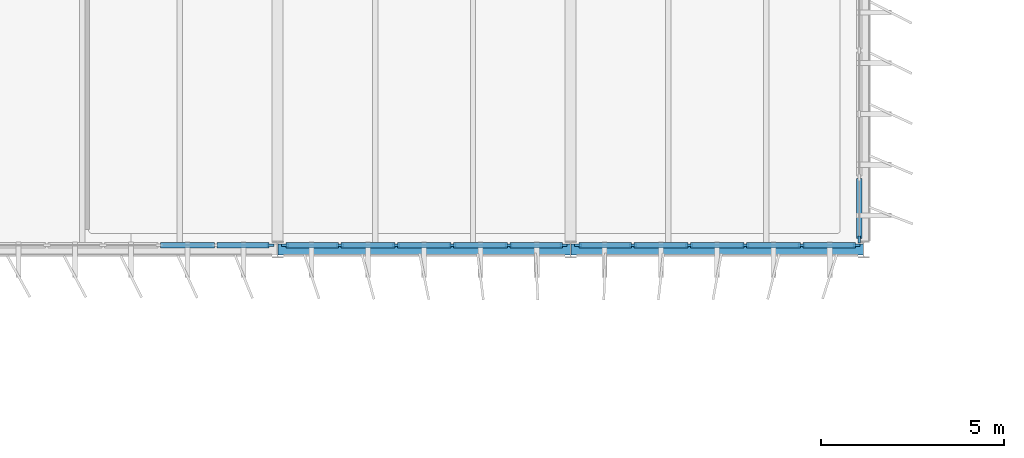
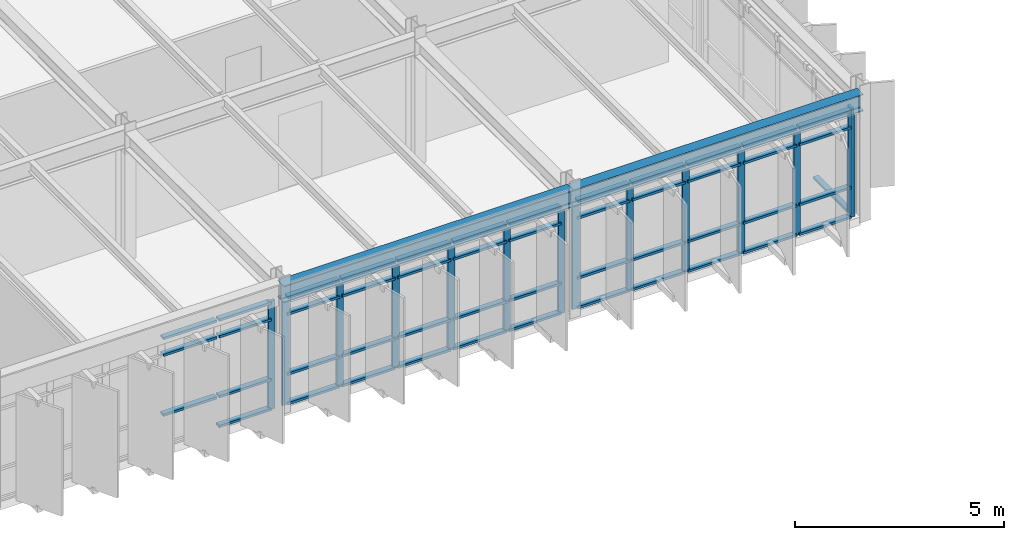
# One storey, part 21 of 56: 62 members, 2 beams, 4 elements without a shape of their own.
"""IFC4 building model written with IfcOpenShell, lengths in metres."""

from ifc_helpers import new_model, si_unit, direction, frame, origin, origin_2d, place, context, subcontext, project, spatial, rectangle, i_section, extrude, material, layer, layer_set, material_profile, profile_set, type_object, element, aggregate, save


model = new_model("IFC4")

# Units and contexts
model_context = context("Model", 3, precision=1e-05, world=origin(), true_north=direction((0.0, 1.0)))
body_context = subcontext(model_context, "Body", "Model", "MODEL_VIEW")
ifc_project = project(units=[si_unit("LENGTHUNIT", "METRE"), si_unit("AREAUNIT", "SQUARE_METRE"), si_unit("VOLUMEUNIT", "CUBIC_METRE"), si_unit("PLANEANGLEUNIT", "RADIAN"), si_unit("MASSUNIT", "GRAM", prefix="KILO")], contexts=[model_context])

# Site, building, storey
site_placement = place(None, origin())
site = spatial("IfcSite", under=ifc_project, at=site_placement, CompositionType="ELEMENT")
building_placement = place(site_placement, origin())
building = spatial("IfcBuilding", under=site, at=building_placement, Name="Valkorina Park Police Headquarters", CompositionType="ELEMENT")
storey_placement = place(building_placement, frame((0.0, 0.0, 14.10009765625)))
storey = spatial("IfcBuildingStorey", under=building, at=storey_placement, Name="L04", CompositionType="ELEMENT", Elevation=14.10009765625)

# Beams
ifc_material_1 = material(Name="Steel S355", Category="steel")
ifc_material_profile_1 = material_profile(ifc_material_1, i_section(OverallWidth=0.300048828125, OverallDepth=0.489990234375, WebThickness=0.011962890625, FlangeThickness=0.02294921875, FilletRadius=0.027099609375, at=origin_2d()), Name="HEA 500")
ifc_profile_set_1 = profile_set([ifc_material_profile_1], Name="Steel S355")
beam_type = type_object("IfcBeamType", Name="BM-S355-HEA500-SPN", PredefinedType="SPANDREL", material=ifc_profile_set_1)
for number, where, z_axis, x_axis, name in (
    (1, (104.806884765625, 37.0, 3.4248046875), (1.0, 0.0, 0.0), (0.0, 1.0, 0.0), "L04 Framing Beam 2227"),
    (2, (112.806884765625, 37.0, 3.4248046875), (1.0, 0.0, 0.0), (0.0, 1.0, 0.0), "L04 Framing Beam 2228"),
):
    element("IfcBeam", number, at=place(storey_placement, frame(where, z_axis=z_axis, x_axis=x_axis)), inside=storey, type_object=beam_type, Name=name, PredefinedType="SPANDREL", context=body_context, shape_type="SweptSolid", body=[
        extrude(i_section(OverallWidth=0.300048828125, OverallDepth=0.489990234375, WebThickness=0.011962890625, FlangeThickness=0.02294921875, FilletRadius=0.027099609375, at=origin_2d()), origin(), (0.0, 0.0, 1.0), 7.986083984375),
    ])

# Curtain wall, member
ifc_material_2 = material(Name="Thermally broken aluminium AW-6060", Category="aluminium")
ifc_layer_1 = layer(ifc_material_2, 0.18994140625)
ifc_layer_set_1 = layer_set([ifc_layer_1], Name="Thermally broken aluminium AW-6060")
curtain_wall_type_1 = type_object("IfcCurtainWallType", Name="CW-V5-6930x3110", PredefinedType="NOTDEFINED", material=ifc_layer_set_1)
curtain_wall_1_placement = place(storey_placement, origin())
curtain_wall_1 = element("IfcCurtainWall", 3, at=curtain_wall_1_placement, inside=storey, type_object=curtain_wall_type_1, Name="L04 Unitised Curtain Wall 042", PredefinedType="NOTDEFINED")
ifc_material_profile_2 = material_profile(ifc_material_2, rectangle(XDim=0.070068359375, YDim=0.18994140625, at=origin_2d()), Name="CWM-02 70x190")
ifc_profile_set_2 = profile_set([ifc_material_profile_2], Name="Thermally broken aluminium AW-6060")
member_type_1 = type_object("IfcMemberType", Name="CWM-70x190", PredefinedType="MULLION", material=ifc_profile_set_2)
member_1_placement = place(storey_placement, frame((120.679931640625, 37.27001953125, 0.0), z_axis=(0.0, 0.0, 1.0), x_axis=(1.0, 0.0, 0.0)))
member_1 = element("IfcMember", 4, at=member_1_placement, type_object=member_type_1, Name="CW-V5-693-311 mullion 5", PredefinedType="MULLION", context=body_context, shape_type="SweptSolid", body=[
    extrude(rectangle(XDim=0.070068359375, YDim=0.18994140625, at=origin_2d()), origin(), (0.0, 0.0, 1.0), 3.10986328125),
])

# Curtain wall, members
ifc_layer_2 = layer(ifc_material_2, 0.18994140625)
ifc_layer_set_2 = layer_set([ifc_layer_2], Name="Thermally broken aluminium AW-6060")
curtain_wall_type_2 = type_object("IfcCurtainWallType", Name="CW-V5-7680x3170", PredefinedType="NOTDEFINED", material=ifc_layer_set_2)
curtain_wall_2_placement = place(storey_placement, origin())
curtain_wall_2 = element("IfcCurtainWall", 5, at=curtain_wall_2_placement, inside=storey, type_object=curtain_wall_type_2, Name="L04 Unitised Curtain Wall 043", PredefinedType="NOTDEFINED")
member_2_placement = place(storey_placement, frame((120.60498046875, 37.1201171875, 0.0), z_axis=(0.0, 0.0, 1.0), x_axis=(0.0, -1.0, 0.0)))
member_2 = element("IfcMember", 6, at=member_2_placement, type_object=member_type_1, Name="CW-V5-768-317 mullion 1", PredefinedType="MULLION", context=body_context, shape_type="SweptSolid", body=[
    extrude(rectangle(XDim=0.070068359375, YDim=0.18994140625, at=origin_2d()), origin(), (0.0, 0.0, 1.0), 3.169921875),
])
member_3_placement = place(storey_placement, frame((119.10400390625, 37.1201171875, 0.0), z_axis=(0.0, 0.0, 1.0), x_axis=(0.0, -1.0, 0.0)))
member_3 = element("IfcMember", 7, at=member_3_placement, type_object=member_type_1, Name="CW-V5-768-317 mullion 2", PredefinedType="MULLION", context=body_context, shape_type="SweptSolid", body=[
    extrude(rectangle(XDim=0.070068359375, YDim=0.18994140625, at=origin_2d()), origin(), (0.0, 0.0, 1.0), 3.169921875),
])
member_4_placement = place(storey_placement, frame((117.568115234375, 37.1201171875, 0.0), z_axis=(0.0, 0.0, 1.0), x_axis=(0.0, -1.0, 0.0)))
member_4 = element("IfcMember", 8, at=member_4_placement, type_object=member_type_1, Name="CW-V5-768-317 mullion 3", PredefinedType="MULLION", context=body_context, shape_type="SweptSolid", body=[
    extrude(rectangle(XDim=0.070068359375, YDim=0.18994140625, at=origin_2d()), origin(), (0.0, 0.0, 1.0), 3.169921875),
])
member_5_placement = place(storey_placement, frame((116.031982421875, 37.1201171875, 0.0), z_axis=(0.0, 0.0, 1.0), x_axis=(0.0, -1.0, 0.0)))
member_5 = element("IfcMember", 9, at=member_5_placement, type_object=member_type_1, Name="CW-V5-768-317 mullion 4", PredefinedType="MULLION", context=body_context, shape_type="SweptSolid", body=[
    extrude(rectangle(XDim=0.070068359375, YDim=0.18994140625, at=origin_2d()), origin(), (0.0, 0.0, 1.0), 3.169921875),
])
member_6_placement = place(storey_placement, frame((114.49609375, 37.1201171875, 0.0), z_axis=(0.0, 0.0, 1.0), x_axis=(0.0, -1.0, 0.0)))
member_6 = element("IfcMember", 10, at=member_6_placement, type_object=member_type_1, Name="CW-V5-768-317 mullion 5", PredefinedType="MULLION", context=body_context, shape_type="SweptSolid", body=[
    extrude(rectangle(XDim=0.070068359375, YDim=0.18994140625, at=origin_2d()), origin(), (0.0, 0.0, 1.0), 3.169921875),
])
member_7_placement = place(storey_placement, frame((112.9951171875, 37.1201171875, 0.0), z_axis=(0.0, 0.0, 1.0), x_axis=(0.0, -1.0, 0.0)))
member_7 = element("IfcMember", 11, at=member_7_placement, type_object=member_type_1, Name="CW-V5-768-317 mullion 6", PredefinedType="MULLION", context=body_context, shape_type="SweptSolid", body=[
    extrude(rectangle(XDim=0.070068359375, YDim=0.18994140625, at=origin_2d()), origin(), (0.0, 0.0, 1.0), 3.169921875),
])

curtain_wall_3_placement = place(storey_placement, origin())
curtain_wall_3 = element("IfcCurtainWall", 12, at=curtain_wall_3_placement, inside=storey, type_object=curtain_wall_type_2, Name="L04 Unitised Curtain Wall 044", PredefinedType="NOTDEFINED")
member_8_placement = place(storey_placement, frame((112.60498046875, 37.1201171875, 0.0), z_axis=(0.0, 0.0, 1.0), x_axis=(0.0, -1.0, 0.0)))
member_8 = element("IfcMember", 13, at=member_8_placement, type_object=member_type_1, Name="CW-V5-768-317 mullion 1", PredefinedType="MULLION", context=body_context, shape_type="SweptSolid", body=[
    extrude(rectangle(XDim=0.070068359375, YDim=0.18994140625, at=origin_2d()), origin(), (0.0, 0.0, 1.0), 3.169921875),
])
member_9_placement = place(storey_placement, frame((111.10400390625, 37.1201171875, 0.0), z_axis=(0.0, 0.0, 1.0), x_axis=(0.0, -1.0, 0.0)))
member_9 = element("IfcMember", 14, at=member_9_placement, type_object=member_type_1, Name="CW-V5-768-317 mullion 2", PredefinedType="MULLION", context=body_context, shape_type="SweptSolid", body=[
    extrude(rectangle(XDim=0.070068359375, YDim=0.18994140625, at=origin_2d()), origin(), (0.0, 0.0, 1.0), 3.169921875),
])
member_10_placement = place(storey_placement, frame((109.568115234375, 37.1201171875, 0.0), z_axis=(0.0, 0.0, 1.0), x_axis=(0.0, -1.0, 0.0)))
member_10 = element("IfcMember", 15, at=member_10_placement, type_object=member_type_1, Name="CW-V5-768-317 mullion 3", PredefinedType="MULLION", context=body_context, shape_type="SweptSolid", body=[
    extrude(rectangle(XDim=0.070068359375, YDim=0.18994140625, at=origin_2d()), origin(), (0.0, 0.0, 1.0), 3.169921875),
])
member_11_placement = place(storey_placement, frame((108.031982421875, 37.1201171875, 0.0), z_axis=(0.0, 0.0, 1.0), x_axis=(0.0, -1.0, 0.0)))
member_11 = element("IfcMember", 16, at=member_11_placement, type_object=member_type_1, Name="CW-V5-768-317 mullion 4", PredefinedType="MULLION", context=body_context, shape_type="SweptSolid", body=[
    extrude(rectangle(XDim=0.070068359375, YDim=0.18994140625, at=origin_2d()), origin(), (0.0, 0.0, 1.0), 3.169921875),
])
member_12_placement = place(storey_placement, frame((106.49609375, 37.1201171875, 0.0), z_axis=(0.0, 0.0, 1.0), x_axis=(0.0, -1.0, 0.0)))
member_12 = element("IfcMember", 17, at=member_12_placement, type_object=member_type_1, Name="CW-V5-768-317 mullion 5", PredefinedType="MULLION", context=body_context, shape_type="SweptSolid", body=[
    extrude(rectangle(XDim=0.070068359375, YDim=0.18994140625, at=origin_2d()), origin(), (0.0, 0.0, 1.0), 3.169921875),
])
member_13_placement = place(storey_placement, frame((104.9951171875, 37.1201171875, 0.0), z_axis=(0.0, 0.0, 1.0), x_axis=(0.0, -1.0, 0.0)))
member_13 = element("IfcMember", 18, at=member_13_placement, type_object=member_type_1, Name="CW-V5-768-317 mullion 6", PredefinedType="MULLION", context=body_context, shape_type="SweptSolid", body=[
    extrude(rectangle(XDim=0.070068359375, YDim=0.18994140625, at=origin_2d()), origin(), (0.0, 0.0, 1.0), 3.169921875),
])

# Curtain wall, member
curtain_wall_4_placement = place(storey_placement, origin())
curtain_wall_4 = element("IfcCurtainWall", 19, at=curtain_wall_4_placement, inside=storey, type_object=curtain_wall_type_2, Name="L04 Unitised Curtain Wall 045", PredefinedType="NOTDEFINED")
member_14_placement = place(storey_placement, frame((104.60498046875, 37.1201171875, 0.0), z_axis=(0.0, 0.0, 1.0), x_axis=(0.0, -1.0, 0.0)))
member_14 = element("IfcMember", 20, at=member_14_placement, type_object=member_type_1, Name="CW-V5-768-317 mullion 1", PredefinedType="MULLION", context=body_context, shape_type="SweptSolid", body=[
    extrude(rectangle(XDim=0.070068359375, YDim=0.18994140625, at=origin_2d()), origin(), (0.0, 0.0, 1.0), 3.169921875),
])

# Member
ifc_material_profile_3 = material_profile(ifc_material_2, rectangle(XDim=0.14990234375, YDim=0.070068359375, at=origin_2d()), Name="CWT-02 150x70")
ifc_profile_set_3 = profile_set([ifc_material_profile_3], Name="Thermally broken aluminium AW-6060")
member_type_2 = type_object("IfcMemberType", Name="CWT-150x70", PredefinedType="USERDEFINED", material=ifc_profile_set_3)
member_15_placement = place(storey_placement, frame((120.679931640625, 38.9326171875, 0.034912109375), z_axis=(0.0, -1.0, 0.0), x_axis=(1.0, 0.0, 0.0)))
member_15 = element("IfcMember", 21, at=member_15_placement, type_object=member_type_2, Name="CW-V5-693-311 transom 4.1", ObjectType="TRANSOM", PredefinedType="USERDEFINED", context=body_context, shape_type="SweptSolid", body=[
    extrude(rectangle(XDim=0.14990234375, YDim=0.070068359375, at=origin_2d()), origin(), (0.0, 0.0, 1.0), 1.627685546875),
])

aggregate(curtain_wall_1, [member_1, member_15])

member_16_placement = place(storey_placement, frame((120.570068359375, 37.1201171875, 0.034912109375), z_axis=(-1.0, 0.0, 0.0), x_axis=(0.0, -1.0, 0.0)))
member_16 = element("IfcMember", 22, at=member_16_placement, type_object=member_type_2, Name="CW-V5-768-317 transom 1.1", ObjectType="TRANSOM", PredefinedType="USERDEFINED", context=body_context, shape_type="SweptSolid", body=[
    extrude(rectangle(XDim=0.14990234375, YDim=0.070068359375, at=origin_2d()), origin(), (0.0, 0.0, 1.0), 1.43115234375),
])

member_17_placement = place(storey_placement, frame((120.570068359375, 37.1201171875, 0.89990234375), z_axis=(-1.0, 0.0, 0.0), x_axis=(0.0, -1.0, 0.0)))
member_17 = element("IfcMember", 23, at=member_17_placement, type_object=member_type_2, Name="CW-V5-768-317 transom 1.2", ObjectType="TRANSOM", PredefinedType="USERDEFINED", context=body_context, shape_type="SweptSolid", body=[
    extrude(rectangle(XDim=0.14990234375, YDim=0.070068359375, at=origin_2d()), origin(), (0.0, 0.0, 1.0), 1.43115234375),
])

member_18_placement = place(storey_placement, frame((120.570068359375, 37.1201171875, 2.64990234375), z_axis=(-1.0, 0.0, 0.0), x_axis=(0.0, -1.0, 0.0)))
member_18 = element("IfcMember", 24, at=member_18_placement, type_object=member_type_2, Name="CW-V5-768-317 transom 1.3", ObjectType="TRANSOM", PredefinedType="USERDEFINED", context=body_context, shape_type="SweptSolid", body=[
    extrude(rectangle(XDim=0.14990234375, YDim=0.070068359375, at=origin_2d()), origin(), (0.0, 0.0, 1.0), 1.43115234375),
])

member_19_placement = place(storey_placement, frame((120.570068359375, 37.1201171875, 3.135009765625), z_axis=(-1.0, 0.0, 0.0), x_axis=(0.0, -1.0, 0.0)))
member_19 = element("IfcMember", 25, at=member_19_placement, type_object=member_type_2, Name="CW-V5-768-317 transom 1.4", ObjectType="TRANSOM", PredefinedType="USERDEFINED", context=body_context, shape_type="SweptSolid", body=[
    extrude(rectangle(XDim=0.14990234375, YDim=0.070068359375, at=origin_2d()), origin(), (0.0, 0.0, 1.0), 1.43115234375),
])

member_20_placement = place(storey_placement, frame((119.069091796875, 37.1201171875, 0.034912109375), z_axis=(-1.0, 0.0, 0.0), x_axis=(0.0, -1.0, 0.0)))
member_20 = element("IfcMember", 26, at=member_20_placement, type_object=member_type_2, Name="CW-V5-768-317 transom 2.1", ObjectType="TRANSOM", PredefinedType="USERDEFINED", context=body_context, shape_type="SweptSolid", body=[
    extrude(rectangle(XDim=0.14990234375, YDim=0.070068359375, at=origin_2d()), origin(), (0.0, 0.0, 1.0), 1.466064453125),
])

member_21_placement = place(storey_placement, frame((119.069091796875, 37.1201171875, 0.89990234375), z_axis=(-1.0, 0.0, 0.0), x_axis=(0.0, -1.0, 0.0)))
member_21 = element("IfcMember", 27, at=member_21_placement, type_object=member_type_2, Name="CW-V5-768-317 transom 2.2", ObjectType="TRANSOM", PredefinedType="USERDEFINED", context=body_context, shape_type="SweptSolid", body=[
    extrude(rectangle(XDim=0.14990234375, YDim=0.070068359375, at=origin_2d()), origin(), (0.0, 0.0, 1.0), 1.466064453125),
])

member_22_placement = place(storey_placement, frame((119.069091796875, 37.1201171875, 2.64990234375), z_axis=(-1.0, 0.0, 0.0), x_axis=(0.0, -1.0, 0.0)))
member_22 = element("IfcMember", 28, at=member_22_placement, type_object=member_type_2, Name="CW-V5-768-317 transom 2.3", ObjectType="TRANSOM", PredefinedType="USERDEFINED", context=body_context, shape_type="SweptSolid", body=[
    extrude(rectangle(XDim=0.14990234375, YDim=0.070068359375, at=origin_2d()), origin(), (0.0, 0.0, 1.0), 1.466064453125),
])

member_23_placement = place(storey_placement, frame((119.069091796875, 37.1201171875, 3.135009765625), z_axis=(-1.0, 0.0, 0.0), x_axis=(0.0, -1.0, 0.0)))
member_23 = element("IfcMember", 29, at=member_23_placement, type_object=member_type_2, Name="CW-V5-768-317 transom 2.4", ObjectType="TRANSOM", PredefinedType="USERDEFINED", context=body_context, shape_type="SweptSolid", body=[
    extrude(rectangle(XDim=0.14990234375, YDim=0.070068359375, at=origin_2d()), origin(), (0.0, 0.0, 1.0), 1.466064453125),
])

member_24_placement = place(storey_placement, frame((117.532958984375, 37.1201171875, 0.034912109375), z_axis=(-1.0, 0.0, 0.0), x_axis=(0.0, -1.0, 0.0)))
member_24 = element("IfcMember", 30, at=member_24_placement, type_object=member_type_2, Name="CW-V5-768-317 transom 3.1", ObjectType="TRANSOM", PredefinedType="USERDEFINED", context=body_context, shape_type="SweptSolid", body=[
    extrude(rectangle(XDim=0.14990234375, YDim=0.070068359375, at=origin_2d()), origin(), (0.0, 0.0, 1.0), 1.466064453125),
])

member_25_placement = place(storey_placement, frame((117.532958984375, 37.1201171875, 0.89990234375), z_axis=(-1.0, 0.0, 0.0), x_axis=(0.0, -1.0, 0.0)))
member_25 = element("IfcMember", 31, at=member_25_placement, type_object=member_type_2, Name="CW-V5-768-317 transom 3.2", ObjectType="TRANSOM", PredefinedType="USERDEFINED", context=body_context, shape_type="SweptSolid", body=[
    extrude(rectangle(XDim=0.14990234375, YDim=0.070068359375, at=origin_2d()), origin(), (0.0, 0.0, 1.0), 1.466064453125),
])

member_26_placement = place(storey_placement, frame((117.532958984375, 37.1201171875, 2.64990234375), z_axis=(-1.0, 0.0, 0.0), x_axis=(0.0, -1.0, 0.0)))
member_26 = element("IfcMember", 32, at=member_26_placement, type_object=member_type_2, Name="CW-V5-768-317 transom 3.3", ObjectType="TRANSOM", PredefinedType="USERDEFINED", context=body_context, shape_type="SweptSolid", body=[
    extrude(rectangle(XDim=0.14990234375, YDim=0.070068359375, at=origin_2d()), origin(), (0.0, 0.0, 1.0), 1.466064453125),
])

member_27_placement = place(storey_placement, frame((117.532958984375, 37.1201171875, 3.135009765625), z_axis=(-1.0, 0.0, 0.0), x_axis=(0.0, -1.0, 0.0)))
member_27 = element("IfcMember", 33, at=member_27_placement, type_object=member_type_2, Name="CW-V5-768-317 transom 3.4", ObjectType="TRANSOM", PredefinedType="USERDEFINED", context=body_context, shape_type="SweptSolid", body=[
    extrude(rectangle(XDim=0.14990234375, YDim=0.070068359375, at=origin_2d()), origin(), (0.0, 0.0, 1.0), 1.466064453125),
])

member_28_placement = place(storey_placement, frame((115.9970703125, 37.1201171875, 0.034912109375), z_axis=(-1.0, 0.0, 0.0), x_axis=(0.0, -1.0, 0.0)))
member_28 = element("IfcMember", 34, at=member_28_placement, type_object=member_type_2, Name="CW-V5-768-317 transom 4.1", ObjectType="TRANSOM", PredefinedType="USERDEFINED", context=body_context, shape_type="SweptSolid", body=[
    extrude(rectangle(XDim=0.14990234375, YDim=0.070068359375, at=origin_2d()), origin(), (0.0, 0.0, 1.0), 1.466064453125),
])

member_29_placement = place(storey_placement, frame((115.9970703125, 37.1201171875, 0.89990234375), z_axis=(-1.0, 0.0, 0.0), x_axis=(0.0, -1.0, 0.0)))
member_29 = element("IfcMember", 35, at=member_29_placement, type_object=member_type_2, Name="CW-V5-768-317 transom 4.2", ObjectType="TRANSOM", PredefinedType="USERDEFINED", context=body_context, shape_type="SweptSolid", body=[
    extrude(rectangle(XDim=0.14990234375, YDim=0.070068359375, at=origin_2d()), origin(), (0.0, 0.0, 1.0), 1.466064453125),
])

member_30_placement = place(storey_placement, frame((115.9970703125, 37.1201171875, 2.64990234375), z_axis=(-1.0, 0.0, 0.0), x_axis=(0.0, -1.0, 0.0)))
member_30 = element("IfcMember", 36, at=member_30_placement, type_object=member_type_2, Name="CW-V5-768-317 transom 4.3", ObjectType="TRANSOM", PredefinedType="USERDEFINED", context=body_context, shape_type="SweptSolid", body=[
    extrude(rectangle(XDim=0.14990234375, YDim=0.070068359375, at=origin_2d()), origin(), (0.0, 0.0, 1.0), 1.466064453125),
])

member_31_placement = place(storey_placement, frame((115.9970703125, 37.1201171875, 3.135009765625), z_axis=(-1.0, 0.0, 0.0), x_axis=(0.0, -1.0, 0.0)))
member_31 = element("IfcMember", 37, at=member_31_placement, type_object=member_type_2, Name="CW-V5-768-317 transom 4.4", ObjectType="TRANSOM", PredefinedType="USERDEFINED", context=body_context, shape_type="SweptSolid", body=[
    extrude(rectangle(XDim=0.14990234375, YDim=0.070068359375, at=origin_2d()), origin(), (0.0, 0.0, 1.0), 1.466064453125),
])

member_32_placement = place(storey_placement, frame((114.4609375, 37.1201171875, 0.034912109375), z_axis=(-1.0, 0.0, 0.0), x_axis=(0.0, -1.0, 0.0)))
member_32 = element("IfcMember", 38, at=member_32_placement, type_object=member_type_2, Name="CW-V5-768-317 transom 5.1", ObjectType="TRANSOM", PredefinedType="USERDEFINED", context=body_context, shape_type="SweptSolid", body=[
    extrude(rectangle(XDim=0.14990234375, YDim=0.070068359375, at=origin_2d()), origin(), (0.0, 0.0, 1.0), 1.430908203125),
])

member_33_placement = place(storey_placement, frame((114.4609375, 37.1201171875, 0.89990234375), z_axis=(-1.0, 0.0, 0.0), x_axis=(0.0, -1.0, 0.0)))
member_33 = element("IfcMember", 39, at=member_33_placement, type_object=member_type_2, Name="CW-V5-768-317 transom 5.2", ObjectType="TRANSOM", PredefinedType="USERDEFINED", context=body_context, shape_type="SweptSolid", body=[
    extrude(rectangle(XDim=0.14990234375, YDim=0.070068359375, at=origin_2d()), origin(), (0.0, 0.0, 1.0), 1.430908203125),
])

member_34_placement = place(storey_placement, frame((114.4609375, 37.1201171875, 2.64990234375), z_axis=(-1.0, 0.0, 0.0), x_axis=(0.0, -1.0, 0.0)))
member_34 = element("IfcMember", 40, at=member_34_placement, type_object=member_type_2, Name="CW-V5-768-317 transom 5.3", ObjectType="TRANSOM", PredefinedType="USERDEFINED", context=body_context, shape_type="SweptSolid", body=[
    extrude(rectangle(XDim=0.14990234375, YDim=0.070068359375, at=origin_2d()), origin(), (0.0, 0.0, 1.0), 1.430908203125),
])

member_35_placement = place(storey_placement, frame((114.4609375, 37.1201171875, 3.135009765625), z_axis=(-1.0, 0.0, 0.0), x_axis=(0.0, -1.0, 0.0)))
member_35 = element("IfcMember", 41, at=member_35_placement, type_object=member_type_2, Name="CW-V5-768-317 transom 5.4", ObjectType="TRANSOM", PredefinedType="USERDEFINED", context=body_context, shape_type="SweptSolid", body=[
    extrude(rectangle(XDim=0.14990234375, YDim=0.070068359375, at=origin_2d()), origin(), (0.0, 0.0, 1.0), 1.430908203125),
])

aggregate(curtain_wall_2, [member_2, member_3, member_4, member_5, member_6, member_7, member_16, member_17, member_18, member_19, member_20, member_21, member_22, member_23, member_24, member_25, member_26, member_27, member_28, member_29, member_30, member_31, member_32, member_33, member_34, member_35])

member_36_placement = place(storey_placement, frame((112.570068359375, 37.1201171875, 0.034912109375), z_axis=(-1.0, 0.0, 0.0), x_axis=(0.0, -1.0, 0.0)))
member_36 = element("IfcMember", 42, at=member_36_placement, type_object=member_type_2, Name="CW-V5-768-317 transom 1.1", ObjectType="TRANSOM", PredefinedType="USERDEFINED", context=body_context, shape_type="SweptSolid", body=[
    extrude(rectangle(XDim=0.14990234375, YDim=0.070068359375, at=origin_2d()), origin(), (0.0, 0.0, 1.0), 1.43115234375),
])

member_37_placement = place(storey_placement, frame((112.570068359375, 37.1201171875, 0.89990234375), z_axis=(-1.0, 0.0, 0.0), x_axis=(0.0, -1.0, 0.0)))
member_37 = element("IfcMember", 43, at=member_37_placement, type_object=member_type_2, Name="CW-V5-768-317 transom 1.2", ObjectType="TRANSOM", PredefinedType="USERDEFINED", context=body_context, shape_type="SweptSolid", body=[
    extrude(rectangle(XDim=0.14990234375, YDim=0.070068359375, at=origin_2d()), origin(), (0.0, 0.0, 1.0), 1.43115234375),
])

member_38_placement = place(storey_placement, frame((112.570068359375, 37.1201171875, 2.64990234375), z_axis=(-1.0, 0.0, 0.0), x_axis=(0.0, -1.0, 0.0)))
member_38 = element("IfcMember", 44, at=member_38_placement, type_object=member_type_2, Name="CW-V5-768-317 transom 1.3", ObjectType="TRANSOM", PredefinedType="USERDEFINED", context=body_context, shape_type="SweptSolid", body=[
    extrude(rectangle(XDim=0.14990234375, YDim=0.070068359375, at=origin_2d()), origin(), (0.0, 0.0, 1.0), 1.43115234375),
])

member_39_placement = place(storey_placement, frame((112.570068359375, 37.1201171875, 3.135009765625), z_axis=(-1.0, 0.0, 0.0), x_axis=(0.0, -1.0, 0.0)))
member_39 = element("IfcMember", 45, at=member_39_placement, type_object=member_type_2, Name="CW-V5-768-317 transom 1.4", ObjectType="TRANSOM", PredefinedType="USERDEFINED", context=body_context, shape_type="SweptSolid", body=[
    extrude(rectangle(XDim=0.14990234375, YDim=0.070068359375, at=origin_2d()), origin(), (0.0, 0.0, 1.0), 1.43115234375),
])

member_40_placement = place(storey_placement, frame((111.069091796875, 37.1201171875, 0.034912109375), z_axis=(-1.0, 0.0, 0.0), x_axis=(0.0, -1.0, 0.0)))
member_40 = element("IfcMember", 46, at=member_40_placement, type_object=member_type_2, Name="CW-V5-768-317 transom 2.1", ObjectType="TRANSOM", PredefinedType="USERDEFINED", context=body_context, shape_type="SweptSolid", body=[
    extrude(rectangle(XDim=0.14990234375, YDim=0.070068359375, at=origin_2d()), origin(), (0.0, 0.0, 1.0), 1.466064453125),
])

member_41_placement = place(storey_placement, frame((111.069091796875, 37.1201171875, 0.89990234375), z_axis=(-1.0, 0.0, 0.0), x_axis=(0.0, -1.0, 0.0)))
member_41 = element("IfcMember", 47, at=member_41_placement, type_object=member_type_2, Name="CW-V5-768-317 transom 2.2", ObjectType="TRANSOM", PredefinedType="USERDEFINED", context=body_context, shape_type="SweptSolid", body=[
    extrude(rectangle(XDim=0.14990234375, YDim=0.070068359375, at=origin_2d()), origin(), (0.0, 0.0, 1.0), 1.466064453125),
])

member_42_placement = place(storey_placement, frame((111.069091796875, 37.1201171875, 2.64990234375), z_axis=(-1.0, 0.0, 0.0), x_axis=(0.0, -1.0, 0.0)))
member_42 = element("IfcMember", 48, at=member_42_placement, type_object=member_type_2, Name="CW-V5-768-317 transom 2.3", ObjectType="TRANSOM", PredefinedType="USERDEFINED", context=body_context, shape_type="SweptSolid", body=[
    extrude(rectangle(XDim=0.14990234375, YDim=0.070068359375, at=origin_2d()), origin(), (0.0, 0.0, 1.0), 1.466064453125),
])

member_43_placement = place(storey_placement, frame((111.069091796875, 37.1201171875, 3.135009765625), z_axis=(-1.0, 0.0, 0.0), x_axis=(0.0, -1.0, 0.0)))
member_43 = element("IfcMember", 49, at=member_43_placement, type_object=member_type_2, Name="CW-V5-768-317 transom 2.4", ObjectType="TRANSOM", PredefinedType="USERDEFINED", context=body_context, shape_type="SweptSolid", body=[
    extrude(rectangle(XDim=0.14990234375, YDim=0.070068359375, at=origin_2d()), origin(), (0.0, 0.0, 1.0), 1.466064453125),
])

member_44_placement = place(storey_placement, frame((109.532958984375, 37.1201171875, 0.034912109375), z_axis=(-1.0, 0.0, 0.0), x_axis=(0.0, -1.0, 0.0)))
member_44 = element("IfcMember", 50, at=member_44_placement, type_object=member_type_2, Name="CW-V5-768-317 transom 3.1", ObjectType="TRANSOM", PredefinedType="USERDEFINED", context=body_context, shape_type="SweptSolid", body=[
    extrude(rectangle(XDim=0.14990234375, YDim=0.070068359375, at=origin_2d()), origin(), (0.0, 0.0, 1.0), 1.466064453125),
])

member_45_placement = place(storey_placement, frame((109.532958984375, 37.1201171875, 0.89990234375), z_axis=(-1.0, 0.0, 0.0), x_axis=(0.0, -1.0, 0.0)))
member_45 = element("IfcMember", 51, at=member_45_placement, type_object=member_type_2, Name="CW-V5-768-317 transom 3.2", ObjectType="TRANSOM", PredefinedType="USERDEFINED", context=body_context, shape_type="SweptSolid", body=[
    extrude(rectangle(XDim=0.14990234375, YDim=0.070068359375, at=origin_2d()), origin(), (0.0, 0.0, 1.0), 1.466064453125),
])

member_46_placement = place(storey_placement, frame((109.532958984375, 37.1201171875, 2.64990234375), z_axis=(-1.0, 0.0, 0.0), x_axis=(0.0, -1.0, 0.0)))
member_46 = element("IfcMember", 52, at=member_46_placement, type_object=member_type_2, Name="CW-V5-768-317 transom 3.3", ObjectType="TRANSOM", PredefinedType="USERDEFINED", context=body_context, shape_type="SweptSolid", body=[
    extrude(rectangle(XDim=0.14990234375, YDim=0.070068359375, at=origin_2d()), origin(), (0.0, 0.0, 1.0), 1.466064453125),
])

member_47_placement = place(storey_placement, frame((109.532958984375, 37.1201171875, 3.135009765625), z_axis=(-1.0, 0.0, 0.0), x_axis=(0.0, -1.0, 0.0)))
member_47 = element("IfcMember", 53, at=member_47_placement, type_object=member_type_2, Name="CW-V5-768-317 transom 3.4", ObjectType="TRANSOM", PredefinedType="USERDEFINED", context=body_context, shape_type="SweptSolid", body=[
    extrude(rectangle(XDim=0.14990234375, YDim=0.070068359375, at=origin_2d()), origin(), (0.0, 0.0, 1.0), 1.466064453125),
])

member_48_placement = place(storey_placement, frame((107.9970703125, 37.1201171875, 0.034912109375), z_axis=(-1.0, 0.0, 0.0), x_axis=(0.0, -1.0, 0.0)))
member_48 = element("IfcMember", 54, at=member_48_placement, type_object=member_type_2, Name="CW-V5-768-317 transom 4.1", ObjectType="TRANSOM", PredefinedType="USERDEFINED", context=body_context, shape_type="SweptSolid", body=[
    extrude(rectangle(XDim=0.14990234375, YDim=0.070068359375, at=origin_2d()), origin(), (0.0, 0.0, 1.0), 1.466064453125),
])

member_49_placement = place(storey_placement, frame((107.9970703125, 37.1201171875, 0.89990234375), z_axis=(-1.0, 0.0, 0.0), x_axis=(0.0, -1.0, 0.0)))
member_49 = element("IfcMember", 55, at=member_49_placement, type_object=member_type_2, Name="CW-V5-768-317 transom 4.2", ObjectType="TRANSOM", PredefinedType="USERDEFINED", context=body_context, shape_type="SweptSolid", body=[
    extrude(rectangle(XDim=0.14990234375, YDim=0.070068359375, at=origin_2d()), origin(), (0.0, 0.0, 1.0), 1.466064453125),
])

member_50_placement = place(storey_placement, frame((107.9970703125, 37.1201171875, 2.64990234375), z_axis=(-1.0, 0.0, 0.0), x_axis=(0.0, -1.0, 0.0)))
member_50 = element("IfcMember", 56, at=member_50_placement, type_object=member_type_2, Name="CW-V5-768-317 transom 4.3", ObjectType="TRANSOM", PredefinedType="USERDEFINED", context=body_context, shape_type="SweptSolid", body=[
    extrude(rectangle(XDim=0.14990234375, YDim=0.070068359375, at=origin_2d()), origin(), (0.0, 0.0, 1.0), 1.466064453125),
])

member_51_placement = place(storey_placement, frame((107.9970703125, 37.1201171875, 3.135009765625), z_axis=(-1.0, 0.0, 0.0), x_axis=(0.0, -1.0, 0.0)))
member_51 = element("IfcMember", 57, at=member_51_placement, type_object=member_type_2, Name="CW-V5-768-317 transom 4.4", ObjectType="TRANSOM", PredefinedType="USERDEFINED", context=body_context, shape_type="SweptSolid", body=[
    extrude(rectangle(XDim=0.14990234375, YDim=0.070068359375, at=origin_2d()), origin(), (0.0, 0.0, 1.0), 1.466064453125),
])

member_52_placement = place(storey_placement, frame((106.4609375, 37.1201171875, 0.034912109375), z_axis=(-1.0, 0.0, 0.0), x_axis=(0.0, -1.0, 0.0)))
member_52 = element("IfcMember", 58, at=member_52_placement, type_object=member_type_2, Name="CW-V5-768-317 transom 5.1", ObjectType="TRANSOM", PredefinedType="USERDEFINED", context=body_context, shape_type="SweptSolid", body=[
    extrude(rectangle(XDim=0.14990234375, YDim=0.070068359375, at=origin_2d()), origin(), (0.0, 0.0, 1.0), 1.430908203125),
])

member_53_placement = place(storey_placement, frame((106.4609375, 37.1201171875, 0.89990234375), z_axis=(-1.0, 0.0, 0.0), x_axis=(0.0, -1.0, 0.0)))
member_53 = element("IfcMember", 59, at=member_53_placement, type_object=member_type_2, Name="CW-V5-768-317 transom 5.2", ObjectType="TRANSOM", PredefinedType="USERDEFINED", context=body_context, shape_type="SweptSolid", body=[
    extrude(rectangle(XDim=0.14990234375, YDim=0.070068359375, at=origin_2d()), origin(), (0.0, 0.0, 1.0), 1.430908203125),
])

member_54_placement = place(storey_placement, frame((106.4609375, 37.1201171875, 2.64990234375), z_axis=(-1.0, 0.0, 0.0), x_axis=(0.0, -1.0, 0.0)))
member_54 = element("IfcMember", 60, at=member_54_placement, type_object=member_type_2, Name="CW-V5-768-317 transom 5.3", ObjectType="TRANSOM", PredefinedType="USERDEFINED", context=body_context, shape_type="SweptSolid", body=[
    extrude(rectangle(XDim=0.14990234375, YDim=0.070068359375, at=origin_2d()), origin(), (0.0, 0.0, 1.0), 1.430908203125),
])

member_55_placement = place(storey_placement, frame((106.4609375, 37.1201171875, 3.135009765625), z_axis=(-1.0, 0.0, 0.0), x_axis=(0.0, -1.0, 0.0)))
member_55 = element("IfcMember", 61, at=member_55_placement, type_object=member_type_2, Name="CW-V5-768-317 transom 5.4", ObjectType="TRANSOM", PredefinedType="USERDEFINED", context=body_context, shape_type="SweptSolid", body=[
    extrude(rectangle(XDim=0.14990234375, YDim=0.070068359375, at=origin_2d()), origin(), (0.0, 0.0, 1.0), 1.430908203125),
])

aggregate(curtain_wall_3, [member_8, member_9, member_10, member_11, member_12, member_13, member_36, member_37, member_38, member_39, member_40, member_41, member_42, member_43, member_44, member_45, member_46, member_47, member_48, member_49, member_50, member_51, member_52, member_53, member_54, member_55])

member_56_placement = place(storey_placement, frame((104.570068359375, 37.1201171875, 0.034912109375), z_axis=(-1.0, 0.0, 0.0), x_axis=(0.0, -1.0, 0.0)))
member_56 = element("IfcMember", 62, at=member_56_placement, type_object=member_type_2, Name="CW-V5-768-317 transom 1.1", ObjectType="TRANSOM", PredefinedType="USERDEFINED", context=body_context, shape_type="SweptSolid", body=[
    extrude(rectangle(XDim=0.14990234375, YDim=0.070068359375, at=origin_2d()), origin(), (0.0, 0.0, 1.0), 1.43115234375),
])

member_57_placement = place(storey_placement, frame((104.570068359375, 37.1201171875, 0.89990234375), z_axis=(-1.0, 0.0, 0.0), x_axis=(0.0, -1.0, 0.0)))
member_57 = element("IfcMember", 63, at=member_57_placement, type_object=member_type_2, Name="CW-V5-768-317 transom 1.2", ObjectType="TRANSOM", PredefinedType="USERDEFINED", context=body_context, shape_type="SweptSolid", body=[
    extrude(rectangle(XDim=0.14990234375, YDim=0.070068359375, at=origin_2d()), origin(), (0.0, 0.0, 1.0), 1.43115234375),
])

member_58_placement = place(storey_placement, frame((104.570068359375, 37.1201171875, 2.64990234375), z_axis=(-1.0, 0.0, 0.0), x_axis=(0.0, -1.0, 0.0)))
member_58 = element("IfcMember", 64, at=member_58_placement, type_object=member_type_2, Name="CW-V5-768-317 transom 1.3", ObjectType="TRANSOM", PredefinedType="USERDEFINED", context=body_context, shape_type="SweptSolid", body=[
    extrude(rectangle(XDim=0.14990234375, YDim=0.070068359375, at=origin_2d()), origin(), (0.0, 0.0, 1.0), 1.43115234375),
])

member_59_placement = place(storey_placement, frame((104.570068359375, 37.1201171875, 3.135009765625), z_axis=(-1.0, 0.0, 0.0), x_axis=(0.0, -1.0, 0.0)))
member_59 = element("IfcMember", 65, at=member_59_placement, type_object=member_type_2, Name="CW-V5-768-317 transom 1.4", ObjectType="TRANSOM", PredefinedType="USERDEFINED", context=body_context, shape_type="SweptSolid", body=[
    extrude(rectangle(XDim=0.14990234375, YDim=0.070068359375, at=origin_2d()), origin(), (0.0, 0.0, 1.0), 1.43115234375),
])

member_60_placement = place(storey_placement, frame((103.069091796875, 37.1201171875, 0.89990234375), z_axis=(-1.0, 0.0, 0.0), x_axis=(0.0, -1.0, 0.0)))
member_60 = element("IfcMember", 66, at=member_60_placement, type_object=member_type_2, Name="CW-V5-768-317 transom 2.2", ObjectType="TRANSOM", PredefinedType="USERDEFINED", context=body_context, shape_type="SweptSolid", body=[
    extrude(rectangle(XDim=0.14990234375, YDim=0.070068359375, at=origin_2d()), origin(), (0.0, 0.0, 1.0), 1.466064453125),
])

member_61_placement = place(storey_placement, frame((103.069091796875, 37.1201171875, 2.64990234375), z_axis=(-1.0, 0.0, 0.0), x_axis=(0.0, -1.0, 0.0)))
member_61 = element("IfcMember", 67, at=member_61_placement, type_object=member_type_2, Name="CW-V5-768-317 transom 2.3", ObjectType="TRANSOM", PredefinedType="USERDEFINED", context=body_context, shape_type="SweptSolid", body=[
    extrude(rectangle(XDim=0.14990234375, YDim=0.070068359375, at=origin_2d()), origin(), (0.0, 0.0, 1.0), 1.466064453125),
])

member_62_placement = place(storey_placement, frame((103.069091796875, 37.1201171875, 3.135009765625), z_axis=(-1.0, 0.0, 0.0), x_axis=(0.0, -1.0, 0.0)))
member_62 = element("IfcMember", 68, at=member_62_placement, type_object=member_type_2, Name="CW-V5-768-317 transom 2.4", ObjectType="TRANSOM", PredefinedType="USERDEFINED", context=body_context, shape_type="SweptSolid", body=[
    extrude(rectangle(XDim=0.14990234375, YDim=0.070068359375, at=origin_2d()), origin(), (0.0, 0.0, 1.0), 1.466064453125),
])

aggregate(curtain_wall_4, [member_14, member_56, member_57, member_58, member_59, member_60, member_61, member_62])

save(model, "model.ifc")
